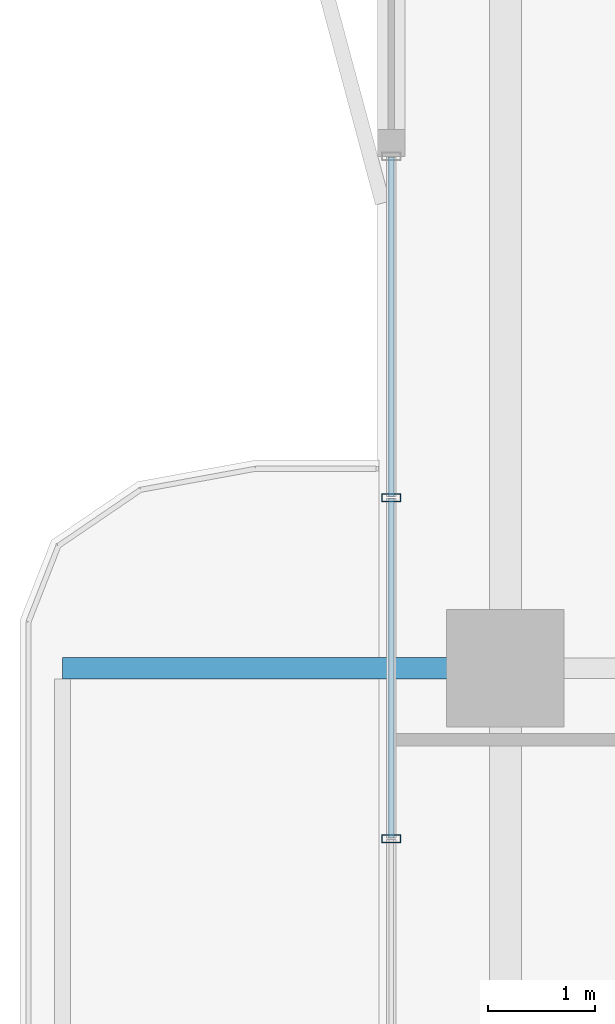
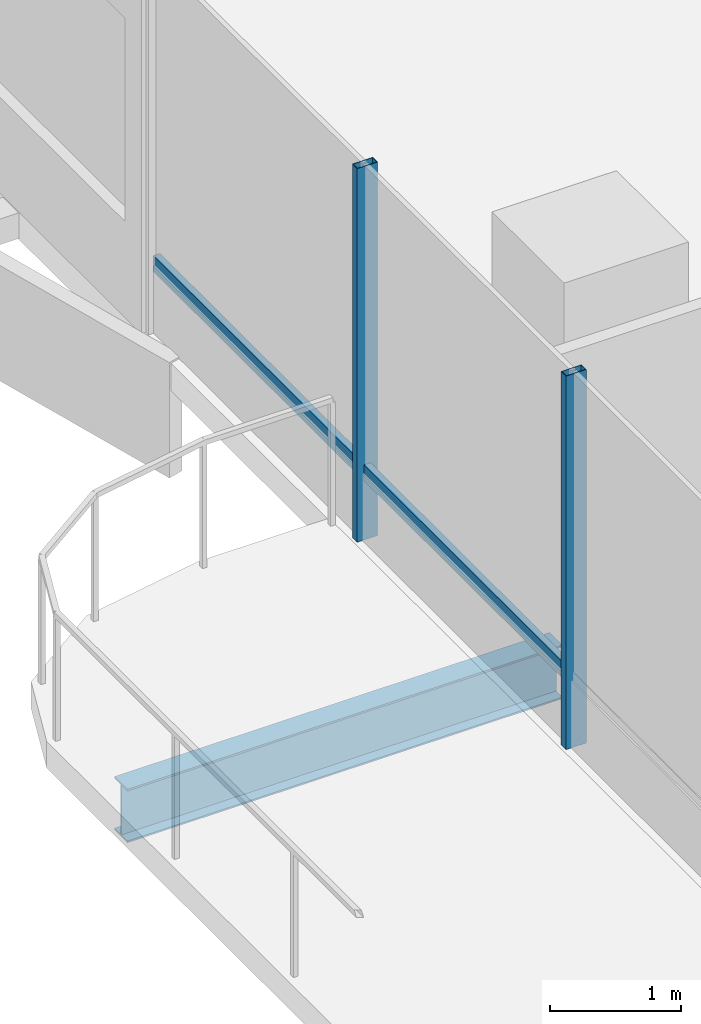
# One storey, part 6 of 25: 4 members, 1 beam, 1 element without a shape of its own.
"""IFC4 building model written with IfcOpenShell, lengths in metres."""

import ifcopenshell
import ifcopenshell.guid

model = None  # the IFC model being written
_history = None  # IfcOwnerHistory: only IFC2X3 demands one
_inside = {}  # id of a spatial element -> (the spatial element, [elements in it])
_under = {}  # id of a project, library or spatial element -> (it, [spatial elements below it])
_declared = {}  # id of a project -> (the project, [libraries it declares])
_typed = {}  # id of a type object -> (the type object, [elements of that type])
_made_of = {}  # id of a material, layer set ... -> (it, [elements and type objects made of it])


def new_model(schema):
    """Start an empty IFC model of exactly this schema.

    Asked for "IFC4X3", IfcOpenShell would pick the latest addendum, in which some entities
    have other attributes; the version numbers below select the first issue.
    IFC2X3 requires an IfcOwnerHistory on every rooted entity: one is made here for all.
    """
    global model, _history
    if schema == "IFC4X3":
        model = ifcopenshell.file(schema_version=(4, 3, 0, 0))
    else:
        model = ifcopenshell.file(schema=schema)
    _inside.clear()
    _under.clear()
    _declared.clear()
    _typed.clear()
    _made_of.clear()
    _history = None
    if model.schema == "IFC2X3":
        org = make("IfcOrganization", Name="unknown")
        user = make(
            "IfcPersonAndOrganization",
            ThePerson=make("IfcPerson", FamilyName="unknown"),
            TheOrganization=org,
        )
        app = make(
            "IfcApplication",
            ApplicationDeveloper=org,
            Version="unknown",
            ApplicationFullName="unknown",
            ApplicationIdentifier="unknown",
        )
        _history = make(
            "IfcOwnerHistory",
            OwningUser=user,
            OwningApplication=app,
            ChangeAction="ADDED",
            CreationDate=0,
        )
    return model


def make(cls, **values):
    """One entity of the class cls with the attributes given. An attribute that is None is left unset."""
    return model.create_entity(
        cls, **{name: value for name, value in values.items() if value is not None}
    )


def rooted(cls, **values):
    """An entity with a GlobalId (a new one), such as an element, a storey or a relation."""
    return make(cls, GlobalId=ifcopenshell.guid.new(), OwnerHistory=_history, **values)


def si_unit(unit_type, name, prefix=None):
    """IfcSIUnit, for example si_unit("LENGTHUNIT", "METRE", prefix="MILLI")."""
    return make("IfcSIUnit", UnitType=unit_type, Prefix=prefix, Name=name)


def assignment(units):
    """IfcUnitAssignment: the units of a project."""
    return None if units is None else make("IfcUnitAssignment", Units=units)


def point(xyz):
    """IfcCartesianPoint."""
    return None if xyz is None else make("IfcCartesianPoint", Coordinates=xyz)


def direction(xyz):
    """IfcDirection."""
    return None if xyz is None else make("IfcDirection", DirectionRatios=xyz)


def frame(location, z_axis=None, x_axis=None):
    """IfcAxis2Placement3D, a coordinate frame: its origin and axes. An axis left out is left unset."""
    return make(
        "IfcAxis2Placement3D",
        Location=point(location),
        Axis=direction(z_axis),
        RefDirection=direction(x_axis),
    )


def frame_2d(location, x_axis=None):
    """IfcAxis2Placement2D, a coordinate frame in the plane: its origin and x axis."""
    return make(
        "IfcAxis2Placement2D", Location=point(location), RefDirection=direction(x_axis)
    )


def origin():
    """The frame at (0, 0, 0) with its axes left unset."""
    return frame((0.0, 0.0, 0.0))


def origin_2d():
    """The frame at (0, 0) in the plane with its x axis left unset."""
    return frame_2d((0.0, 0.0))


def place(relative_to, where):
    """IfcLocalPlacement: puts the frame where relative to a parent placement (None: the world)."""
    return make(
        "IfcLocalPlacement", PlacementRelTo=relative_to, RelativePlacement=where
    )


def context(
    kind, dimensions, precision=None, world=None, true_north=None, identifier=None
):
    """IfcGeometricRepresentationContext, for example the 3D "Model" context."""
    return make(
        "IfcGeometricRepresentationContext",
        ContextIdentifier=identifier,
        ContextType=kind,
        CoordinateSpaceDimension=dimensions,
        Precision=precision,
        WorldCoordinateSystem=world,
        TrueNorth=true_north,
    )


def subcontext(parent, identifier, kind, view, scale=None):
    """IfcGeometricRepresentationSubContext, for example "Body" below "Model"."""
    return make(
        "IfcGeometricRepresentationSubContext",
        ContextIdentifier=identifier,
        ContextType=kind,
        ParentContext=parent,
        TargetScale=scale,
        TargetView=view,
    )


def project(units=None, contexts=None):
    """IfcProject with its units and contexts."""
    return rooted(
        "IfcProject",
        Name="project",
        RepresentationContexts=contexts,
        UnitsInContext=assignment(units),
    )


def spatial(cls, under=None, at=None, **own):
    """A site, building, storey or space (cls), placed at a placement, below another one or the project."""
    s = rooted(cls, ObjectPlacement=at, **own)
    if under is not None:
        _under.setdefault(under.id(), (under, []))[1].append(s)
    return s


def profile(cls, at=None, kind="AREA", **sizes):
    """A parametric profile (cls). Its sizes go by their IFC names, for example OverallWidth=200.0."""
    return make(cls, ProfileType=kind, Position=at, **sizes)


def hollow_rectangle(**sizes):
    """IfcRectangleHollowProfileDef."""
    return profile("IfcRectangleHollowProfileDef", **sizes)


def i_section(**sizes):
    """IfcIShapeProfileDef."""
    return profile("IfcIShapeProfileDef", **sizes)


def extrude(swept, where, along, depth):
    """IfcExtrudedAreaSolid: the profile swept, set in the frame where, extruded along a direction by depth."""
    return make(
        "IfcExtrudedAreaSolid",
        SweptArea=swept,
        Position=where,
        ExtrudedDirection=direction(along),
        Depth=depth,
    )


def shape(context_of_items, identifier, shape_type, items):
    """IfcShapeRepresentation: the items that make up one representation, for example the "Body"."""
    return make(
        "IfcShapeRepresentation",
        ContextOfItems=context_of_items,
        RepresentationIdentifier=identifier,
        RepresentationType=shape_type,
        Items=items,
    )


def material(Name=None, Category=None):
    """IfcMaterial."""
    return make("IfcMaterial", Name=Name, Category=Category)


def layer(
    of_material, thickness, ventilated=None, Name=None, Category=None, Priority=None
):
    """IfcMaterialLayer: one layer of a wall or slab, of a material (None: an air gap)."""
    return make(
        "IfcMaterialLayer",
        Material=of_material,
        LayerThickness=thickness,
        IsVentilated=ventilated,
        Name=Name,
        Category=Category,
        Priority=Priority,
    )


def layer_set(layers, Name=None):
    """IfcMaterialLayerSet."""
    return make("IfcMaterialLayerSet", MaterialLayers=layers, LayerSetName=Name)


def material_profile(
    of_material, cross_section, Name=None, Category=None, Priority=None
):
    """IfcMaterialProfile: a cross section and its material."""
    return make(
        "IfcMaterialProfile",
        Name=Name,
        Material=of_material,
        Profile=cross_section,
        Priority=Priority,
        Category=Category,
    )


def profile_set(profiles, Name=None, composite=None):
    """IfcMaterialProfileSet."""
    return make(
        "IfcMaterialProfileSet",
        Name=Name,
        MaterialProfiles=profiles,
        CompositeProfile=composite,
    )


def made_of(thing, what):
    """Note that an element or type object is made of a material, layer set ...; save() writes the relation."""
    if what is not None:
        _made_of.setdefault(what.id(), (what, []))[1].append(thing)
    return thing


def type_object(cls, material=None, **own):
    """A type object (cls), such as IfcWallType, which elements share."""
    return made_of(rooted(cls, **own), material)


def element(
    cls,
    number,
    at=None,
    inside=None,
    cuts=None,
    type_object=None,
    material=None,
    context=None,
    identifier="Body",
    shape_type=None,
    held_by="IfcProductDefinitionShape",
    body=None,
    shapes=None,
    **own,
):
    """One element of the class cls, such as IfcWall. Its Tag is "e" and its number.

    at: its placement. inside: the storey or other place that contains it. cuts: it is an
    opening in that element (IfcRelVoidsElement). A single representation is given by context,
    identifier, shape_type and body (its items); several are given by shapes. held_by: the class
    of the entity that holds the representations. save() writes the other relations.
    """
    e = rooted(cls, Tag="e%d" % number, ObjectPlacement=at, **own)
    if body is not None:
        shapes = [shape(context, identifier, shape_type, body)]
    if shapes is not None:
        e.Representation = make(held_by, Representations=shapes)
    if inside is not None:
        _inside.setdefault(inside.id(), (inside, []))[1].append(e)
    if cuts is not None:
        rooted(
            "IfcRelVoidsElement", RelatingBuildingElement=cuts, RelatedOpeningElement=e
        )
    if type_object is not None:
        _typed.setdefault(type_object.id(), (type_object, []))[1].append(e)
    return made_of(e, material)


def aggregate(whole, parts):
    """IfcRelAggregates: a whole, such as a stair, and the parts it consists of."""
    return rooted("IfcRelAggregates", RelatingObject=whole, RelatedObjects=parts)


def save(model, path):
    """Write the relations noted so far, then the file.

    IfcRelAggregates (storeys below a building ...), IfcRelContainedInSpatialStructure (elements
    in a storey), IfcRelDefinesByType, IfcRelAssociatesMaterial and IfcRelDeclares: one each for
    every whole, place, type object, material and project.
    """
    for whole, parts in _under.values():
        aggregate(whole, parts)
    for where, things in _inside.values():
        rooted(
            "IfcRelContainedInSpatialStructure",
            RelatedElements=things,
            RelatingStructure=where,
        )
    for kind, things in _typed.values():
        rooted("IfcRelDefinesByType", RelatedObjects=things, RelatingType=kind)
    for what, things in _made_of.values():
        rooted("IfcRelAssociatesMaterial", RelatedObjects=things, RelatingMaterial=what)
    for by, libraries in _declared.values():
        rooted("IfcRelDeclares", RelatingContext=by, RelatedDefinitions=libraries)
    model.write(path)


model = new_model("IFC4")

# Units and contexts
model_context = context("Model", 3, precision=1e-05, world=origin(), true_north=direction((0.0, 1.0)))
body_context = subcontext(model_context, "Body", "Model", "MODEL_VIEW")
ifc_project = project(units=[si_unit("LENGTHUNIT", "METRE"), si_unit("AREAUNIT", "SQUARE_METRE"), si_unit("VOLUMEUNIT", "CUBIC_METRE"), si_unit("PLANEANGLEUNIT", "RADIAN"), si_unit("MASSUNIT", "GRAM", prefix="KILO")], contexts=[model_context])

# Site, building, storey
site_placement = place(None, origin())
site = spatial("IfcSite", under=ifc_project, at=site_placement, CompositionType="ELEMENT")
building_placement = place(site_placement, origin())
building = spatial("IfcBuilding", under=site, at=building_placement, Name="Belovzor Exchange Tower", CompositionType="ELEMENT")
storey_placement = place(building_placement, frame((0.0, 0.0, 164.550048828125)))
storey = spatial("IfcBuildingStorey", under=building, at=storey_placement, Name="L40", CompositionType="ELEMENT", Elevation=164.550048828125)

# Beam
ifc_material_1 = material(Name="Steel S355", Category="steel")
ifc_material_profile_1 = material_profile(ifc_material_1, i_section(OverallWidth=0.199951171875, OverallDepth=0.5, WebThickness=0.01025390625, FlangeThickness=0.01611328125, at=origin_2d()))
ifc_profile_set_1 = profile_set([ifc_material_profile_1], Name="Steel S355")
beam_type = type_object("IfcBeamType", Name="Planted Balcony Cantilever Beam IPE 500", PredefinedType="BEAM", material=ifc_profile_set_1)
beam_placement = place(storey_placement, frame((5.39697265625, 28.800048828125, -0.505126953125), z_axis=(-1.0, 0.0, 0.0), x_axis=(0.0, -1.0, 0.0)))
element("IfcBeam", 1, at=beam_placement, inside=storey, type_object=beam_type, Name="BC-500 Planted Balcony Cantilever Beam IPE 500", PredefinedType="BEAM", context=body_context, shape_type="SweptSolid", body=[
    extrude(i_section(OverallWidth=0.199951171875, OverallDepth=0.5, WebThickness=0.01025390625, FlangeThickness=0.01611328125, at=origin_2d()), origin(), (0.0, 0.0, 1.0), 3.849853515625),
])

# Curtain wall, members
ifc_material_2 = material(Name="Anodised Aluminium Framing", Category="aluminium")
ifc_layer = layer(ifc_material_2, 0.179931640625)
ifc_layer_set = layer_set([ifc_layer], Name="Anodised Aluminium Framing")
curtain_wall_type = type_object("IfcCurtainWallType", Name="Recessed Loggia Low-Iron Triple-Glazed Curtain Wall", PredefinedType="NOTDEFINED", material=ifc_layer_set)
curtain_wall_placement = place(storey_placement, origin())
curtain_wall = element("IfcCurtainWall", 2, at=curtain_wall_placement, inside=storey, type_object=curtain_wall_type, Name="CW3 Recessed Loggia Low-Iron Triple-Glazed Curtain Wall L40", PredefinedType="NOTDEFINED")
ifc_material_3 = material(Name="Steel S355", Category="steel")
ifc_material_profile_2 = material_profile(ifc_material_3, hollow_rectangle(XDim=0.074951171875, YDim=0.179931640625, WallThickness=0.0048828125, at=origin_2d()))
ifc_profile_set_2 = profile_set([ifc_material_profile_2], Name="Steel S355")
member_type_1 = type_object("IfcMemberType", Name="Thermally Broken Curtain Wall Mullion 180x75", PredefinedType="MULLION", material=ifc_profile_set_2)
member_1_placement = place(storey_placement, frame((4.6298828125, 27.199951171875, 0.0), z_axis=(0.0, 0.0, 1.0), x_axis=(0.0, 1.0, 0.0)))
member_1 = element("IfcMember", 3, at=member_1_placement, type_object=member_type_1, Name="CW-M180 Curtain Wall Mullion 2", PredefinedType="MULLION", context=body_context, shape_type="SweptSolid", body=[
    extrude(hollow_rectangle(XDim=0.074951171875, YDim=0.179931640625, WallThickness=0.0048828125, at=origin_2d()), origin(), (0.0, 0.0, 1.0), 3.494873046875),
])
member_2_placement = place(storey_placement, frame((4.6298828125, 30.39990234375, 0.0), z_axis=(0.0, 0.0, 1.0), x_axis=(0.0, 1.0, 0.0)))
member_2 = element("IfcMember", 4, at=member_2_placement, type_object=member_type_1, Name="CW-M180 Curtain Wall Mullion 3", PredefinedType="MULLION", context=body_context, shape_type="SweptSolid", body=[
    extrude(hollow_rectangle(XDim=0.074951171875, YDim=0.179931640625, WallThickness=0.0048828125, at=origin_2d()), origin(), (0.0, 0.0, 1.0), 3.494873046875),
])
ifc_material_4 = material(Name="Steel S355", Category="steel")
ifc_material_profile_3 = material_profile(ifc_material_4, hollow_rectangle(XDim=0.06005859375, YDim=0.14990234375, WallThickness=0.00390625, at=origin_2d()))
ifc_profile_set_3 = profile_set([ifc_material_profile_3], Name="Steel S355")
member_type_2 = type_object("IfcMemberType", Name="Thermally Broken Curtain Wall Transom 150x60", PredefinedType="USERDEFINED", material=ifc_profile_set_3)
member_3_placement = place(storey_placement, frame((4.6298828125, 27.2080078125, 0.62890625), z_axis=(0.0, 1.0, 0.0), x_axis=(-1.0, 0.0, 0.0)))
member_3 = element("IfcMember", 5, at=member_3_placement, type_object=member_type_2, Name="CW-T150 Curtain Wall Transom 2", ObjectType="TRANSOM", PredefinedType="USERDEFINED", context=body_context, shape_type="SweptSolid", body=[
    extrude(hollow_rectangle(XDim=0.06005859375, YDim=0.14990234375, WallThickness=0.00390625, at=origin_2d()), origin(), (0.0, 0.0, 1.0), 3.18408203125),
])
member_4_placement = place(storey_placement, frame((4.6298828125, 30.407958984375, 0.62890625), z_axis=(0.0, 1.0, 0.0), x_axis=(-1.0, 0.0, 0.0)))
member_4 = element("IfcMember", 6, at=member_4_placement, type_object=member_type_2, Name="CW-T150 Curtain Wall Transom 3", ObjectType="TRANSOM", PredefinedType="USERDEFINED", context=body_context, shape_type="SweptSolid", body=[
    extrude(hollow_rectangle(XDim=0.06005859375, YDim=0.14990234375, WallThickness=0.00390625, at=origin_2d()), origin(), (0.0, 0.0, 1.0), 3.18408203125),
])
aggregate(curtain_wall, [member_1, member_2, member_3, member_4])

save(model, "model.ifc")
